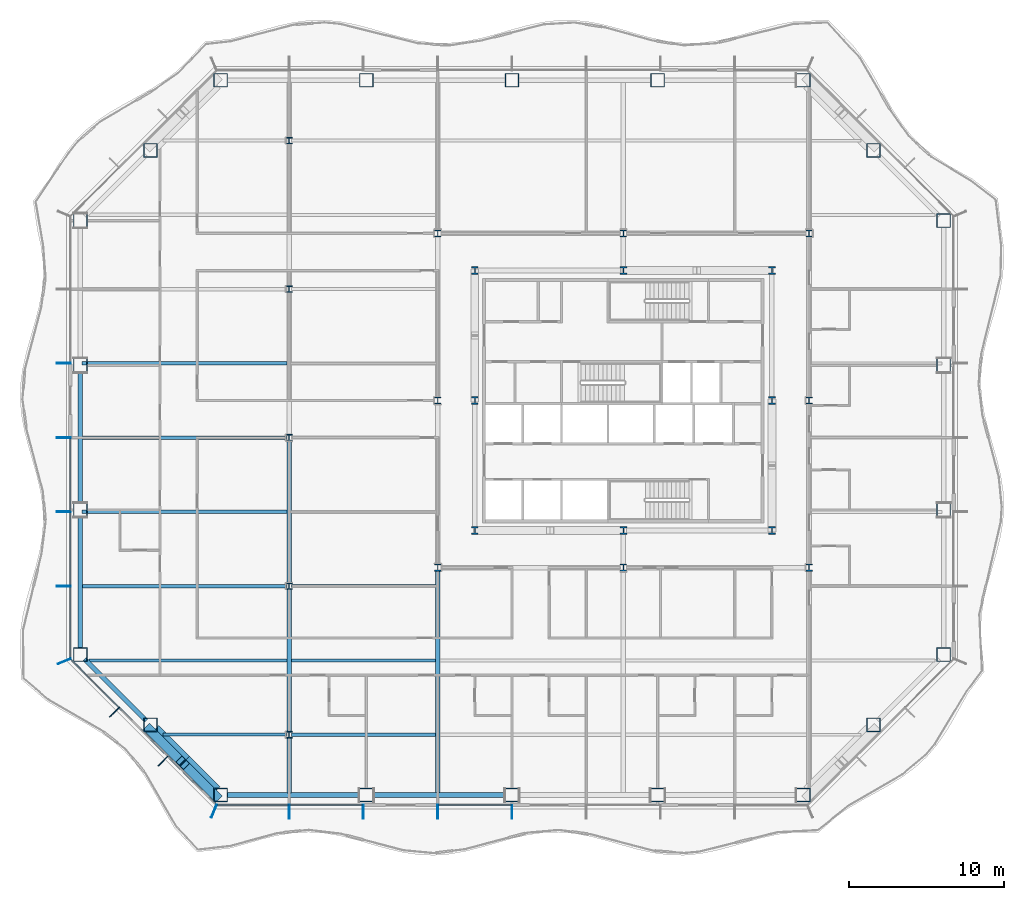
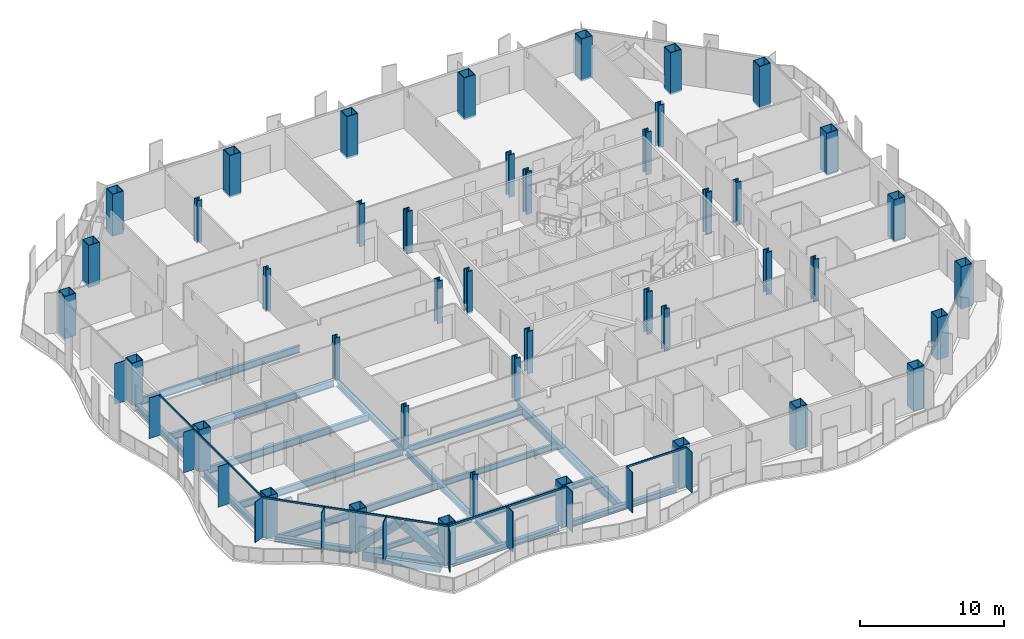
# One storey, part 1 of 20: 43 columns, 23 members, 20 beams, 3 elements without a shape of their own.
"""IFC4 building model written with IfcOpenShell, lengths in metres."""

from ifc_helpers import new_model, si_unit, direction, frame, origin, origin_2d, place, context, subcontext, project, spatial, rectangle, hollow_rectangle, i_section, extrude, clip, halfspace, material, material_profile, profile_set, type_object, element, aggregate, save


model = new_model("IFC4")

# Units and contexts
model_context = context("Model", 3, precision=1e-05, world=origin(), true_north=direction((0.0, 1.0)))
body_context = subcontext(model_context, "Body", "Model", "MODEL_VIEW")
ifc_project = project(units=[si_unit("LENGTHUNIT", "METRE"), si_unit("AREAUNIT", "SQUARE_METRE"), si_unit("VOLUMEUNIT", "CUBIC_METRE"), si_unit("PLANEANGLEUNIT", "RADIAN"), si_unit("MASSUNIT", "GRAM", prefix="KILO")], contexts=[model_context])

# Site, building, storey
site_placement = place(None, origin())
site = spatial("IfcSite", under=ifc_project, at=site_placement, CompositionType="ELEMENT")
building_placement = place(site_placement, origin())
building = spatial("IfcBuilding", under=site, at=building_placement, Name="Cairn Pilgrim Tower", CompositionType="ELEMENT")
storey_placement = place(building_placement, frame((0.0, 0.0, 83.39990234375)))
storey = spatial("IfcBuildingStorey", under=building, at=storey_placement, Name="L19", CompositionType="ELEMENT", Elevation=83.39990234375)

# Columns
ifc_material_1 = material(Name="Structural steel S460M", Category="steel")
ifc_material_profile_1 = material_profile(ifc_material_1, hollow_rectangle(XDim=0.89990234375, YDim=0.89990234375, WallThickness=0.050048828125, at=origin_2d()), Name="BOX 900x900x50")
ifc_profile_set_1 = profile_set([ifc_material_profile_1], Name="Structural steel S460M")
column_type_1 = type_object("IfcColumnType", Name="BOX 900x900x50", PredefinedType="COLUMN", material=ifc_profile_set_1)
for number, where, z_axis, x_axis, name in (
    (1, (-18.8271484375, -23.10009765625, -0.14990234375), (0.0, 0.0, 1.0), (1.0, 0.0, 0.0), "PC1-S1"),
    (2, (-9.41357421875, -23.10009765625, -0.14990234375), (0.0, 0.0, 1.0), (1.0, 0.0, 0.0), "PC1-S2"),
    (3, (0.0, -23.10009765625, -0.14990234375), (0.0, 0.0, 1.0), (1.0, 0.0, 0.0), "PC1-S3"),
    (4, (9.41357421875, -23.10009765625, -0.14990234375), (0.0, 0.0, 1.0), (1.0, 0.0, 0.0), "PC1-S4"),
    (5, (18.8271484375, -23.10009765625, -0.14990234375), (0.0, 0.0, 1.0), (1.0, 0.0, 0.0), "PC1-SE1"),
    (6, (23.363525390625, -18.563720703125, -0.14990234375), (0.0, 0.0, 1.0), (1.0, 0.0, 0.0), "PC1-SE2"),
    (7, (27.89990234375, -14.027099609375, -0.14990234375), (0.0, 0.0, 1.0), (1.0, 0.0, 0.0), "PC1-E1"),
    (8, (27.89990234375, -4.67578125, -0.14990234375), (0.0, 0.0, 1.0), (1.0, 0.0, 0.0), "PC1-E2"),
    (9, (27.89990234375, 4.67578125, -0.14990234375), (0.0, 0.0, 1.0), (1.0, 0.0, 0.0), "PC1-E3"),
    (10, (27.89990234375, 14.027099609375, -0.14990234375), (0.0, 0.0, 1.0), (1.0, 0.0, 0.0), "PC1-NE1"),
    (11, (23.363525390625, 18.563720703125, -0.14990234375), (0.0, 0.0, 1.0), (1.0, 0.0, 0.0), "PC1-NE2"),
    (12, (18.8271484375, 23.10009765625, -0.14990234375), (0.0, 0.0, 1.0), (1.0, 0.0, 0.0), "PC1-N1"),
    (13, (9.41357421875, 23.10009765625, -0.14990234375), (0.0, 0.0, 1.0), (1.0, 0.0, 0.0), "PC1-N2"),
    (14, (0.0, 23.10009765625, -0.14990234375), (0.0, 0.0, 1.0), (1.0, 0.0, 0.0), "PC1-N3"),
    (15, (-9.41357421875, 23.10009765625, -0.14990234375), (0.0, 0.0, 1.0), (1.0, 0.0, 0.0), "PC1-N4"),
    (16, (-18.8271484375, 23.10009765625, -0.14990234375), (0.0, 0.0, 1.0), (1.0, 0.0, 0.0), "PC1-NW1"),
    (17, (-23.363525390625, 18.563720703125, -0.14990234375), (0.0, 0.0, 1.0), (1.0, 0.0, 0.0), "PC1-NW2"),
    (18, (-27.89990234375, 14.027099609375, -0.14990234375), (0.0, 0.0, 1.0), (1.0, 0.0, 0.0), "PC1-W1"),
    (19, (-27.89990234375, 4.67578125, -0.14990234375), (0.0, 0.0, 1.0), (1.0, 0.0, 0.0), "PC1-W2"),
    (20, (-27.89990234375, -4.67578125, -0.14990234375), (0.0, 0.0, 1.0), (1.0, 0.0, 0.0), "PC1-W3"),
    (21, (-27.89990234375, -14.027099609375, -0.14990234375), (0.0, 0.0, 1.0), (1.0, 0.0, 0.0), "PC1-SW1"),
    (22, (-23.363525390625, -18.563720703125, -0.14990234375), (0.0, 0.0, 1.0), (1.0, 0.0, 0.0), "PC1-SW2"),
):
    element("IfcColumn", number, at=place(storey_placement, frame(where, z_axis=z_axis, x_axis=x_axis)), inside=storey, type_object=column_type_1, Name=name, PredefinedType="COLUMN", context=body_context, shape_type="Clipping", body=[
        clip(extrude(hollow_rectangle(XDim=0.89990234375, YDim=0.89990234375, WallThickness=0.050048828125, at=origin_2d()), origin(), (0.0, 0.0, 1.0), 3.60009765625), halfspace(frame((0.0, 0.0, 3.576171875), z_axis=(0.0, 0.0, 1.0), x_axis=(1.0, 0.0, 0.0)), False)),
    ])
ifc_material_profile_2 = material_profile(ifc_material_1, i_section(OverallWidth=0.408935546875, OverallDepth=0.425048828125, WebThickness=0.03271484375, FlangeThickness=0.052490234375, FilletRadius=0.014892578125, at=origin_2d()), Name="HD 400x421")
ifc_profile_set_2 = profile_set([ifc_material_profile_2], Name="Structural steel S460M")
column_type_2 = type_object("IfcColumnType", Name="HD 400x421", PredefinedType="COLUMN", material=ifc_profile_set_2)
for number, where, z_axis, x_axis, name in (
    (23, (-14.39990234375, -19.199951171875, -0.14990234375), (0.0, 0.0, 1.0), (1.0, 0.0, 0.0), "WC-WW-4"),
    (24, (-14.39990234375, -9.60009765625, -0.14990234375), (0.0, 0.0, 1.0), (1.0, 0.0, 0.0), "WC-WW-2"),
    (25, (-14.39990234375, 0.0, -0.14990234375), (0.0, 0.0, 1.0), (1.0, 0.0, 0.0), "WC-WW+0"),
    (26, (-14.39990234375, 9.60009765625, -0.14990234375), (0.0, 0.0, 1.0), (1.0, 0.0, 0.0), "WC-WW+2"),
    (27, (-14.39990234375, 19.199951171875, -0.14990234375), (0.0, 0.0, 1.0), (1.0, 0.0, 0.0), "WC-WW+4"),
):
    element("IfcColumn", number, at=place(storey_placement, frame(where, z_axis=z_axis, x_axis=x_axis)), inside=storey, type_object=column_type_2, Name=name, PredefinedType="COLUMN", context=body_context, shape_type="SweptSolid", body=[
        extrude(i_section(OverallWidth=0.408935546875, OverallDepth=0.425048828125, WebThickness=0.03271484375, FlangeThickness=0.052490234375, FilletRadius=0.014892578125, at=origin_2d()), origin(), (0.0, 0.0, 1.0), 3.60009765625),
    ])
ifc_material_profile_3 = material_profile(ifc_material_1, i_section(OverallWidth=0.424072265625, OverallDepth=0.47412109375, WebThickness=0.047607421875, FlangeThickness=0.0771484375, FilletRadius=0.014892578125, at=origin_2d()), Name="HD 400x634")
ifc_profile_set_3 = profile_set([ifc_material_profile_3], Name="Structural steel S460M")
column_type_3 = type_object("IfcColumnType", Name="HD 400x634", PredefinedType="COLUMN", material=ifc_profile_set_3)
for number, where, z_axis, x_axis, name in (
    (28, (-4.800048828125, -8.39990234375, -0.14990234375), (0.0, 0.0, 1.0), (1.0, 0.0, 0.0), "IC-1"),
    (29, (7.199951171875, -8.39990234375, -0.14990234375), (0.0, 0.0, 1.0), (1.0, 0.0, 0.0), "IC-2"),
    (30, (19.199951171875, -8.39990234375, -0.14990234375), (0.0, 0.0, 1.0), (1.0, 0.0, 0.0), "IC-3"),
    (31, (-4.800048828125, 2.39990234375, -0.14990234375), (0.0, 0.0, 1.0), (1.0, 0.0, 0.0), "IC-4"),
    (32, (19.199951171875, 2.39990234375, -0.14990234375), (0.0, 0.0, 1.0), (1.0, 0.0, 0.0), "IC-5"),
    (33, (-4.800048828125, 13.199951171875, -0.14990234375), (0.0, 0.0, 1.0), (1.0, 0.0, 0.0), "IC-6"),
    (34, (7.199951171875, 13.199951171875, -0.14990234375), (0.0, 0.0, 1.0), (1.0, 0.0, 0.0), "IC-7"),
    (35, (19.199951171875, 13.199951171875, -0.14990234375), (0.0, 0.0, 1.0), (1.0, 0.0, 0.0), "IC-8"),
):
    element("IfcColumn", number, at=place(storey_placement, frame(where, z_axis=z_axis, x_axis=x_axis)), inside=storey, type_object=column_type_3, Name=name, PredefinedType="COLUMN", context=body_context, shape_type="SweptSolid", body=[
        extrude(i_section(OverallWidth=0.424072265625, OverallDepth=0.47412109375, WebThickness=0.047607421875, FlangeThickness=0.0771484375, FilletRadius=0.014892578125, at=origin_2d()), origin(), (0.0, 0.0, 1.0), 3.60009765625),
    ])
ifc_material_profile_4 = material_profile(ifc_material_1, i_section(OverallWidth=0.43701171875, OverallDepth=0.513916015625, WebThickness=0.060546875, FlangeThickness=0.096923828125, FilletRadius=0.014892578125, at=origin_2d()), Name="HD 400x818")
ifc_profile_set_4 = profile_set([ifc_material_profile_4], Name="Structural steel S460M")
column_type_4 = type_object("IfcColumnType", Name="HD 400x818", PredefinedType="COLUMN", material=ifc_profile_set_4)
for number, where, z_axis, x_axis, name in (
    (36, (-2.39990234375, -6.0, -0.14990234375), (0.0, 0.0, 1.0), (1.0, 0.0, 0.0), "KC-1"),
    (37, (7.199951171875, -6.0, -0.14990234375), (0.0, 0.0, 1.0), (1.0, 0.0, 0.0), "KC-2"),
    (38, (16.800048828125, -6.0, -0.14990234375), (0.0, 0.0, 1.0), (1.0, 0.0, 0.0), "KC-3"),
    (39, (-2.39990234375, 2.39990234375, -0.14990234375), (0.0, 0.0, 1.0), (1.0, 0.0, 0.0), "KC-4"),
    (40, (16.800048828125, 2.39990234375, -0.14990234375), (0.0, 0.0, 1.0), (1.0, 0.0, 0.0), "KC-5"),
    (41, (-2.39990234375, 10.800048828125, -0.14990234375), (0.0, 0.0, 1.0), (1.0, 0.0, 0.0), "KC-6"),
    (42, (7.199951171875, 10.800048828125, -0.14990234375), (0.0, 0.0, 1.0), (1.0, 0.0, 0.0), "KC-7"),
    (43, (16.800048828125, 10.800048828125, -0.14990234375), (0.0, 0.0, 1.0), (1.0, 0.0, 0.0), "KC-8"),
):
    element("IfcColumn", number, at=place(storey_placement, frame(where, z_axis=z_axis, x_axis=x_axis)), inside=storey, type_object=column_type_4, Name=name, PredefinedType="COLUMN", context=body_context, shape_type="SweptSolid", body=[
        extrude(i_section(OverallWidth=0.43701171875, OverallDepth=0.513916015625, WebThickness=0.060546875, FlangeThickness=0.096923828125, FilletRadius=0.014892578125, at=origin_2d()), origin(), (0.0, 0.0, 1.0), 3.60009765625),
    ])

# Members
ifc_material_profile_5 = material_profile(ifc_material_1, hollow_rectangle(XDim=0.60009765625, YDim=0.60009765625, WallThickness=0.034912109375, at=origin_2d()), Name="BOX 600x600x35")
ifc_profile_set_5 = profile_set([ifc_material_profile_5], Name="Structural steel S460M")
member_type_1 = type_object("IfcMemberType", Name="BOX 600x600x35 BRACE", PredefinedType="BRACE", material=ifc_profile_set_5)
for number, where, z_axis, x_axis, name in (
    (44, (-23.4873046875, -18.814697265625, 0.150146484375), (0.528960912345, -0.52889942671, 0.663675937214), (0.70706568108, 0.707147878904, 0.0), "XB-SW2-S1-1"),
    (45, (-19.078125, -23.2236328125, 0.150146484375), (-0.528943710525, 0.528943710525, 0.663654354459), (-0.707106781187, -0.707106781187, 0.0), "XB-SW2-S1-2"),
):
    element("IfcMember", number, at=place(storey_placement, frame(where, z_axis=z_axis, x_axis=x_axis)), inside=storey, type_object=member_type_1, Name=name, PredefinedType="BRACE", context=body_context, shape_type="SweptSolid", body=[
        extrude(hollow_rectangle(XDim=0.60009765625, YDim=0.60009765625, WallThickness=0.034912109375, at=origin_2d()), origin(), (0.0, 0.0, 1.0), 3.970703125),
    ])

# Beams
ifc_material_2 = material(Name="Structural steel S355J2", Category="steel")
ifc_material_profile_6 = material_profile(ifc_material_2, hollow_rectangle(XDim=0.699951171875, YDim=0.800048828125, WallThickness=0.0400390625, at=origin_2d()), Name="BOX 700x800x40")
ifc_profile_set_6 = profile_set([ifc_material_profile_6], Name="Structural steel S355J2")
beam_type_1 = type_object("IfcBeamType", Name="BOX 700x800x40 RING GIRDER", PredefinedType="SPANDREL", material=ifc_profile_set_6)
beam_1_placement = place(storey_placement, frame((-23.0771484375, -18.85009765625, -0.5498046875), z_axis=(0.707106781187, -0.707106781187, 0.0), x_axis=(0.707106781187, 0.707106781187, 0.0)))
element("IfcBeam", 46, at=beam_1_placement, inside=storey, type_object=beam_type_1, Name="RG1-SW2-S1-1", PredefinedType="SPANDREL", context=body_context, shape_type="SweptSolid", body=[
    extrude(hollow_rectangle(XDim=0.699951171875, YDim=0.800048828125, WallThickness=0.0400390625, at=origin_2d()), origin(), (0.0, 0.0, 1.0), 2.802490234375),
])
beam_2_placement = place(storey_placement, frame((-21.095458984375, -20.831787109375, -0.5498046875), z_axis=(0.707106781187, -0.707106781187, 0.0), x_axis=(0.707106781187, 0.707106781187, 0.0)))
element("IfcBeam", 47, at=beam_2_placement, inside=storey, type_object=beam_type_1, Name="RG1-SW2-S1-2", PredefinedType="SPANDREL", context=body_context, shape_type="SweptSolid", body=[
    extrude(hollow_rectangle(XDim=0.699951171875, YDim=0.800048828125, WallThickness=0.0400390625, at=origin_2d()), origin(), (0.0, 0.0, 1.0), 2.802978515625),
])

# Curtain wall, members
ifc_material_3 = material(Name="Aluminium alloy 6063-T6 bronze anodised with Bronze tinted laminated low-E glass 8+16+8.8", Category="aluminium")
curtain_wall_type_1 = type_object("IfcCurtainWallType", Name="TOWER STICK CURTAIN WALL NS", PredefinedType="NOTDEFINED", material=ifc_material_3)
curtain_wall_1_placement = place(storey_placement, origin())
curtain_wall_1 = element("IfcCurtainWall", 48, at=curtain_wall_1_placement, inside=storey, type_object=curtain_wall_type_1, Name="Tower Stick Curtain Wall Ns S", PredefinedType="NOTDEFINED")
ifc_material_4 = material(Name="Aluminium alloy 6063-T6 bronze anodised", Category="aluminium")
ifc_material_profile_7 = material_profile(ifc_material_4, rectangle(XDim=0.89990234375, YDim=0.06005859375, at=origin_2d()), Name="FIN MULLION 60x900 BRONZE")
ifc_profile_set_7 = profile_set([ifc_material_profile_7], Name="Aluminium alloy 6063-T6 bronze anodised")
member_type_2 = type_object("IfcMemberType", Name="FIN MULLION 60x900 BRONZE", PredefinedType="MULLION", material=ifc_profile_set_7)
member_1_placement = place(storey_placement, frame((-19.257080078125, -24.137939453125, 0.0), z_axis=(0.0, 0.0, 1.0), x_axis=(-0.382683432365, -0.923879532511, 0.0)))
member_1 = element("IfcMember", 49, at=member_1_placement, type_object=member_type_2, Name="Fin mullion S1", PredefinedType="MULLION", context=body_context, shape_type="SweptSolid", body=[
    extrude(rectangle(XDim=0.89990234375, YDim=0.06005859375, at=origin_2d()), origin(), (0.0, 0.0, 1.0), 3.4501953125),
])
member_2_placement = place(storey_placement, frame((-14.39990234375, -24.169921875, 0.0), z_axis=(0.0, 0.0, 1.0), x_axis=(0.0, -1.0, 0.0)))
member_2 = element("IfcMember", 50, at=member_2_placement, type_object=member_type_2, Name="Fin mullion S2", PredefinedType="MULLION", context=body_context, shape_type="SweptSolid", body=[
    extrude(rectangle(XDim=0.89990234375, YDim=0.06005859375, at=origin_2d()), origin(), (0.0, 0.0, 1.0), 3.4501953125),
])
member_3_placement = place(storey_placement, frame((-9.60009765625, -24.169921875, 0.0), z_axis=(0.0, 0.0, 1.0), x_axis=(0.0, -1.0, 0.0)))
member_3 = element("IfcMember", 51, at=member_3_placement, type_object=member_type_2, Name="Fin mullion S3", PredefinedType="MULLION", context=body_context, shape_type="SweptSolid", body=[
    extrude(rectangle(XDim=0.89990234375, YDim=0.06005859375, at=origin_2d()), origin(), (0.0, 0.0, 1.0), 3.4501953125),
])
member_4_placement = place(storey_placement, frame((-4.800048828125, -24.169921875, 0.0), z_axis=(0.0, 0.0, 1.0), x_axis=(0.0, -1.0, 0.0)))
member_4 = element("IfcMember", 52, at=member_4_placement, type_object=member_type_2, Name="Fin mullion S4", PredefinedType="MULLION", context=body_context, shape_type="SweptSolid", body=[
    extrude(rectangle(XDim=0.89990234375, YDim=0.06005859375, at=origin_2d()), origin(), (0.0, 0.0, 1.0), 3.4501953125),
])
member_5_placement = place(storey_placement, frame((0.0, -24.169921875, 0.0), z_axis=(0.0, 0.0, 1.0), x_axis=(0.0, -1.0, 0.0)))
member_5 = element("IfcMember", 53, at=member_5_placement, type_object=member_type_2, Name="Fin mullion S5", PredefinedType="MULLION", context=body_context, shape_type="SweptSolid", body=[
    extrude(rectangle(XDim=0.89990234375, YDim=0.06005859375, at=origin_2d()), origin(), (0.0, 0.0, 1.0), 3.4501953125),
])

curtain_wall_type_2 = type_object("IfcCurtainWallType", Name="TOWER STICK CURTAIN WALL EW", PredefinedType="NOTDEFINED", material=ifc_material_3)
curtain_wall_2_placement = place(storey_placement, origin())
curtain_wall_2 = element("IfcCurtainWall", 54, at=curtain_wall_2_placement, inside=storey, type_object=curtain_wall_type_2, Name="Tower Stick Curtain Wall Ew W", PredefinedType="NOTDEFINED")
member_6_placement = place(storey_placement, frame((-28.969970703125, 4.800048828125, 0.0), z_axis=(0.0, 0.0, 1.0), x_axis=(-1.0, 0.0, 0.0)))
member_6 = element("IfcMember", 55, at=member_6_placement, type_object=member_type_2, Name="Fin mullion W3", PredefinedType="MULLION", context=body_context, shape_type="SweptSolid", body=[
    extrude(rectangle(XDim=0.89990234375, YDim=0.06005859375, at=origin_2d()), origin(), (0.0, 0.0, 1.0), 3.4501953125),
])
member_7_placement = place(storey_placement, frame((-28.969970703125, 0.0, 0.0), z_axis=(0.0, 0.0, 1.0), x_axis=(-1.0, 0.0, 0.0)))
member_7 = element("IfcMember", 56, at=member_7_placement, type_object=member_type_2, Name="Fin mullion W4", PredefinedType="MULLION", context=body_context, shape_type="SweptSolid", body=[
    extrude(rectangle(XDim=0.89990234375, YDim=0.06005859375, at=origin_2d()), origin(), (0.0, 0.0, 1.0), 3.4501953125),
])
member_8_placement = place(storey_placement, frame((-28.969970703125, -4.800048828125, 0.0), z_axis=(0.0, 0.0, 1.0), x_axis=(-1.0, 0.0, 0.0)))
member_8 = element("IfcMember", 57, at=member_8_placement, type_object=member_type_2, Name="Fin mullion W5", PredefinedType="MULLION", context=body_context, shape_type="SweptSolid", body=[
    extrude(rectangle(XDim=0.89990234375, YDim=0.06005859375, at=origin_2d()), origin(), (0.0, 0.0, 1.0), 3.4501953125),
])
member_9_placement = place(storey_placement, frame((-28.969970703125, -9.60009765625, 0.0), z_axis=(0.0, 0.0, 1.0), x_axis=(-1.0, 0.0, 0.0)))
member_9 = element("IfcMember", 58, at=member_9_placement, type_object=member_type_2, Name="Fin mullion W6", PredefinedType="MULLION", context=body_context, shape_type="SweptSolid", body=[
    extrude(rectangle(XDim=0.89990234375, YDim=0.06005859375, at=origin_2d()), origin(), (0.0, 0.0, 1.0), 3.4501953125),
])

curtain_wall_type_3 = type_object("IfcCurtainWallType", Name="CHAMFER CORNER CURTAIN WALL", PredefinedType="NOTDEFINED", material=ifc_material_3)
curtain_wall_3_placement = place(storey_placement, origin())
curtain_wall_3 = element("IfcCurtainWall", 59, at=curtain_wall_3_placement, inside=storey, type_object=curtain_wall_type_3, Name="Chamfer Corner Curtain Wall SW", PredefinedType="NOTDEFINED")
member_10_placement = place(storey_placement, frame((-28.93798828125, -14.457275390625, 0.0), z_axis=(0.0, 0.0, 1.0), x_axis=(-0.923879532511, -0.382683432365, 0.0)))
member_10 = element("IfcMember", 60, at=member_10_placement, type_object=member_type_2, Name="Fin mullion SW1", PredefinedType="MULLION", context=body_context, shape_type="SweptSolid", body=[
    extrude(rectangle(XDim=0.89990234375, YDim=0.06005859375, at=origin_2d()), origin(), (0.0, 0.0, 1.0), 3.4501953125),
])
member_11_placement = place(storey_placement, frame((-25.69580078125, -17.74462890625, 0.0), z_axis=(0.0, 0.0, 1.0), x_axis=(-0.707106781187, -0.707106781187, 0.0)))
member_11 = element("IfcMember", 61, at=member_11_placement, type_object=member_type_2, Name="Fin mullion SW2", PredefinedType="MULLION", context=body_context, shape_type="SweptSolid", body=[
    extrude(rectangle(XDim=0.89990234375, YDim=0.06005859375, at=origin_2d()), origin(), (0.0, 0.0, 1.0), 3.4501953125),
])
member_12_placement = place(storey_placement, frame((-22.544677734375, -20.895751953125, 0.0), z_axis=(0.0, 0.0, 1.0), x_axis=(-0.707106781187, -0.707106781187, 0.0)))
member_12 = element("IfcMember", 62, at=member_12_placement, type_object=member_type_2, Name="Fin mullion SW3", PredefinedType="MULLION", context=body_context, shape_type="SweptSolid", body=[
    extrude(rectangle(XDim=0.89990234375, YDim=0.06005859375, at=origin_2d()), origin(), (0.0, 0.0, 1.0), 3.4501953125),
])

# Beams
ifc_material_profile_8 = material_profile(ifc_material_2, i_section(OverallWidth=0.300048828125, OverallDepth=0.39990234375, WebThickness=0.013427734375, FlangeThickness=0.02392578125, FilletRadius=0.027099609375, at=origin_2d()), Name="HEB 400")
ifc_profile_set_8 = profile_set([ifc_material_profile_8], Name="Structural steel S355J2")
beam_type_2 = type_object("IfcBeamType", Name="HEB 400 GIRDER", PredefinedType="BEAM", material=ifc_profile_set_8)
beam_3_placement = place(storey_placement, frame((-14.39990234375, -22.97998046875, -0.349853515625), z_axis=(0.0, 1.0, 0.0), x_axis=(-1.0, 0.0, 0.0)))
element("IfcBeam", 63, at=beam_3_placement, inside=storey, type_object=beam_type_2, Name="PG1-1", PredefinedType="BEAM", context=body_context, shape_type="SweptSolid", body=[
    extrude(i_section(OverallWidth=0.300048828125, OverallDepth=0.39990234375, WebThickness=0.013427734375, FlangeThickness=0.02392578125, FilletRadius=0.027099609375, at=origin_2d()), origin(), (0.0, 0.0, 1.0), 3.575439453125),
])
ifc_material_profile_9 = material_profile(ifc_material_2, i_section(OverallWidth=0.300048828125, OverallDepth=0.5, WebThickness=0.014404296875, FlangeThickness=0.028076171875, FilletRadius=0.027099609375, at=origin_2d()), Name="HEB 500")
ifc_profile_set_9 = profile_set([ifc_material_profile_9], Name="Structural steel S355J2")
beam_type_3 = type_object("IfcBeamType", Name="HEB 500 GIRDER", PredefinedType="BEAM", material=ifc_profile_set_9)
beam_4_placement = place(storey_placement, frame((-14.39990234375, -18.99560546875, -0.39990234375), z_axis=(0.0, 1.0, 0.0), x_axis=(-1.0, 0.0, 0.0)))
element("IfcBeam", 64, at=beam_4_placement, inside=storey, type_object=beam_type_3, Name="PG1-2", PredefinedType="BEAM", context=body_context, shape_type="SweptSolid", body=[
    extrude(i_section(OverallWidth=0.300048828125, OverallDepth=0.5, WebThickness=0.014404296875, FlangeThickness=0.028076171875, FilletRadius=0.027099609375, at=origin_2d()), origin(), (0.0, 0.0, 1.0), 9.191162109375),
])
beam_5_placement = place(storey_placement, frame((-14.39990234375, -9.3955078125, -0.39990234375), z_axis=(0.0, 1.0, 0.0), x_axis=(-1.0, 0.0, 0.0)))
element("IfcBeam", 65, at=beam_5_placement, inside=storey, type_object=beam_type_3, Name="PG1-3", PredefinedType="BEAM", context=body_context, shape_type="SweptSolid", body=[
    extrude(i_section(OverallWidth=0.300048828125, OverallDepth=0.5, WebThickness=0.014404296875, FlangeThickness=0.028076171875, FilletRadius=0.027099609375, at=origin_2d()), origin(), (0.0, 0.0, 1.0), 9.19091796875),
])
ifc_material_profile_10 = material_profile(ifc_material_2, i_section(OverallWidth=0.300048828125, OverallDepth=0.5, WebThickness=0.014404296875, FlangeThickness=0.028076171875, FilletRadius=0.027099609375, at=origin_2d()), Name="HEB 500")
ifc_profile_set_10 = profile_set([ifc_material_profile_10], Name="Structural steel S355J2")
beam_type_4 = type_object("IfcBeamType", Name="HEB 500 RING GIRDER", PredefinedType="SPANDREL", material=ifc_profile_set_10)
for number, where, z_axis, x_axis, name in (
    (66, (-18.422119140625, -23.10009765625, -0.39990234375), (1.0, 0.0, 0.0), (0.0, 1.0, 0.0), "RG1-S1-S2"),
    (67, (-9.008544921875, -23.10009765625, -0.39990234375), (1.0, 0.0, 0.0), (0.0, 1.0, 0.0), "RG1-S2-S3"),
):
    element("IfcBeam", number, at=place(storey_placement, frame(where, z_axis=z_axis, x_axis=x_axis)), inside=storey, type_object=beam_type_4, Name=name, PredefinedType="SPANDREL", context=body_context, shape_type="SweptSolid", body=[
        extrude(i_section(OverallWidth=0.300048828125, OverallDepth=0.5, WebThickness=0.014404296875, FlangeThickness=0.028076171875, FilletRadius=0.027099609375, at=origin_2d()), origin(), (0.0, 0.0, 1.0), 8.603515625),
    ])
for number, where, z_axis, x_axis, name in (
    (68, (-27.89990234375, 4.270751953125, -0.39990234375), (0.0, -1.0, 0.0), (1.0, 0.0, 0.0), "RG1-W2-W3"),
    (69, (-27.89990234375, -5.080810546875, -0.39990234375), (0.0, -1.0, 0.0), (1.0, 0.0, 0.0), "RG1-W3-SW1"),
):
    element("IfcBeam", number, at=place(storey_placement, frame(where, z_axis=z_axis, x_axis=x_axis)), inside=storey, type_object=beam_type_4, Name=name, PredefinedType="SPANDREL", context=body_context, shape_type="SweptSolid", body=[
        extrude(i_section(OverallWidth=0.300048828125, OverallDepth=0.5, WebThickness=0.014404296875, FlangeThickness=0.028076171875, FilletRadius=0.027099609375, at=origin_2d()), origin(), (0.0, 0.0, 1.0), 8.54150390625),
    ])
beam_6_placement = place(storey_placement, frame((-27.613525390625, -14.313720703125, -0.39990234375), z_axis=(0.707128558756, -0.707085002947, 0.0), x_axis=(0.707085002947, 0.707128558756, 0.0)))
element("IfcBeam", 70, at=beam_6_placement, inside=storey, type_object=beam_type_4, Name="RG1-SW1-SW2", PredefinedType="SPANDREL", context=body_context, shape_type="SweptSolid", body=[
    extrude(i_section(OverallWidth=0.300048828125, OverallDepth=0.5, WebThickness=0.014404296875, FlangeThickness=0.028076171875, FilletRadius=0.027099609375, at=origin_2d()), origin(), (0.0, 0.0, 1.0), 5.605224609375),
])
ifc_material_profile_11 = material_profile(ifc_material_2, i_section(OverallWidth=0.300048828125, OverallDepth=0.699951171875, WebThickness=0.01708984375, FlangeThickness=0.031982421875, FilletRadius=0.027099609375, at=origin_2d()), Name="HEB 700")
ifc_profile_set_11 = profile_set([ifc_material_profile_11], Name="Structural steel S355J2")
beam_type_5 = type_object("IfcBeamType", Name="HEB 700 GIRDER", PredefinedType="BEAM", material=ifc_profile_set_11)
beam_7_placement = place(storey_placement, frame((-4.800048828125, -22.97998046875, -0.5), z_axis=(0.0, 1.0, 0.0), x_axis=(-1.0, 0.0, 0.0)))
element("IfcBeam", 71, at=beam_7_placement, inside=storey, type_object=beam_type_5, Name="PG2-1", PredefinedType="BEAM", context=body_context, shape_type="SweptSolid", body=[
    extrude(i_section(OverallWidth=0.300048828125, OverallDepth=0.699951171875, WebThickness=0.01708984375, FlangeThickness=0.031982421875, FilletRadius=0.027099609375, at=origin_2d()), origin(), (0.0, 0.0, 1.0), 14.367919921875),
])
ifc_material_profile_12 = material_profile(ifc_material_2, i_section(OverallWidth=0.18994140625, OverallDepth=0.449951171875, WebThickness=0.009521484375, FlangeThickness=0.0146484375, FilletRadius=0.02099609375, at=origin_2d()), Name="IPE 450")
ifc_profile_set_12 = profile_set([ifc_material_profile_12], Name="Structural steel S355J2")
beam_type_6 = type_object("IfcBeamType", Name="IPE 450 SECONDARY BEAM", PredefinedType="JOIST", material=ifc_profile_set_12)
beam_8_placement = place(storey_placement, frame((-22.545166015625, -19.199951171875, -0.375), z_axis=(1.0, 0.0, 0.0), x_axis=(0.0, 1.0, 0.0)))
element("IfcBeam", 72, at=beam_8_placement, inside=storey, type_object=beam_type_6, Name="SB1-1", PredefinedType="JOIST", context=body_context, shape_type="SweptSolid", body=[
    extrude(i_section(OverallWidth=0.18994140625, OverallDepth=0.449951171875, WebThickness=0.009521484375, FlangeThickness=0.0146484375, FilletRadius=0.02099609375, at=origin_2d()), origin(), (0.0, 0.0, 1.0), 7.9951171875),
])
ifc_material_profile_13 = material_profile(ifc_material_2, i_section(OverallWidth=0.199951171875, OverallDepth=0.5, WebThickness=0.01025390625, FlangeThickness=0.01611328125, FilletRadius=0.02099609375, at=origin_2d()), Name="IPE 500")
ifc_profile_set_13 = profile_set([ifc_material_profile_13], Name="Structural steel S355J2")
beam_type_7 = type_object("IfcBeamType", Name="IPE 500 SECONDARY BEAM", PredefinedType="JOIST", material=ifc_profile_set_13)
for number, where, z_axis, x_axis, name in (
    (73, (-14.25, -19.199951171875, -0.39990234375), (1.0, 0.0, 0.0), (0.0, 1.0, 0.0), "SB1-2"),
    (74, (-14.25, -14.39990234375, -0.39990234375), (1.0, 0.0, 0.0), (0.0, 1.0, 0.0), "SB2-2"),
    (75, (-14.25, -9.60009765625, -0.39990234375), (1.0, 0.0, 0.0), (0.0, 1.0, 0.0), "SB3-2"),
):
    element("IfcBeam", number, at=place(storey_placement, frame(where, z_axis=z_axis, x_axis=x_axis)), inside=storey, type_object=beam_type_7, Name=name, PredefinedType="JOIST", context=body_context, shape_type="SweptSolid", body=[
        extrude(i_section(OverallWidth=0.199951171875, OverallDepth=0.5, WebThickness=0.01025390625, FlangeThickness=0.01611328125, FilletRadius=0.02099609375, at=origin_2d()), origin(), (0.0, 0.0, 1.0), 9.300048828125),
    ])
ifc_material_profile_14 = material_profile(ifc_material_2, i_section(OverallWidth=0.219970703125, OverallDepth=0.60009765625, WebThickness=0.011962890625, FlangeThickness=0.01904296875, FilletRadius=0.02392578125, at=origin_2d()), Name="IPE 600")
ifc_profile_set_14 = profile_set([ifc_material_profile_14], Name="Structural steel S355J2")
beam_type_8 = type_object("IfcBeamType", Name="IPE 600 SECONDARY BEAM", PredefinedType="JOIST", material=ifc_profile_set_14)
beam_9_placement = place(storey_placement, frame((-27.34521484375, -14.39990234375, -0.449951171875), z_axis=(1.0, 0.0, 0.0), x_axis=(0.0, 1.0, 0.0)))
element("IfcBeam", 76, at=beam_9_placement, inside=storey, type_object=beam_type_8, Name="SB2-1", PredefinedType="JOIST", context=body_context, shape_type="SweptSolid", body=[
    extrude(i_section(OverallWidth=0.219970703125, OverallDepth=0.60009765625, WebThickness=0.011962890625, FlangeThickness=0.01904296875, FilletRadius=0.02392578125, at=origin_2d()), origin(), (0.0, 0.0, 1.0), 12.795166015625),
])
for number, where, z_axis, x_axis, name in (
    (77, (-27.780029296875, -9.60009765625, -0.449951171875), (1.0, 0.0, 0.0), (0.0, 1.0, 0.0), "SB3-1"),
    (78, (-27.780029296875, -4.800048828125, -0.449951171875), (1.0, 0.0, 0.0), (0.0, 1.0, 0.0), "SB4-1"),
    (79, (-27.780029296875, 0.0, -0.449951171875), (1.0, 0.0, 0.0), (0.0, 1.0, 0.0), "SB5-1"),
    (80, (-27.780029296875, 4.800048828125, -0.449951171875), (1.0, 0.0, 0.0), (0.0, 1.0, 0.0), "SB6-1"),
):
    element("IfcBeam", number, at=place(storey_placement, frame(where, z_axis=z_axis, x_axis=x_axis)), inside=storey, type_object=beam_type_8, Name=name, PredefinedType="JOIST", context=body_context, shape_type="SweptSolid", body=[
        extrude(i_section(OverallWidth=0.219970703125, OverallDepth=0.60009765625, WebThickness=0.011962890625, FlangeThickness=0.01904296875, FilletRadius=0.02392578125, at=origin_2d()), origin(), (0.0, 0.0, 1.0), 13.22998046875),
    ])

# Member
ifc_material_profile_15 = material_profile(ifc_material_4, rectangle(XDim=0.080078125, YDim=0.14990234375, at=origin_2d()), Name="TRANSOM 80x150 BRONZE")
ifc_profile_set_15 = profile_set([ifc_material_profile_15], Name="Aluminium alloy 6063-T6 bronze anodised")
member_type_3 = type_object("IfcMemberType", Name="TRANSOM 80x150 BRONZE", PredefinedType="USERDEFINED", material=ifc_profile_set_15)
member_13_placement = place(storey_placement, frame((-19.056396484375, -23.75, 3.375), z_axis=(1.0, 0.0, 0.0), x_axis=(0.0, 1.0, 0.0)))
member_13 = element("IfcMember", 81, at=member_13_placement, type_object=member_type_3, Name="Transom S1", ObjectType="TRANSOM", PredefinedType="USERDEFINED", context=body_context, shape_type="SweptSolid", body=[
    extrude(rectangle(XDim=0.080078125, YDim=0.14990234375, at=origin_2d()), origin(), (0.0, 0.0, 1.0), 4.62646484375),
])

member_14_placement = place(storey_placement, frame((-14.3701171875, -23.75, 3.375), z_axis=(1.0, 0.0, 0.0), x_axis=(0.0, 1.0, 0.0)))
member_14 = element("IfcMember", 82, at=member_14_placement, type_object=member_type_3, Name="Transom S2", ObjectType="TRANSOM", PredefinedType="USERDEFINED", context=body_context, shape_type="SweptSolid", body=[
    extrude(rectangle(XDim=0.080078125, YDim=0.14990234375, at=origin_2d()), origin(), (0.0, 0.0, 1.0), 4.740234375),
])

member_15_placement = place(storey_placement, frame((-4.77001953125, -23.75, 3.375), z_axis=(1.0, 0.0, 0.0), x_axis=(0.0, 1.0, 0.0)))
member_15 = element("IfcMember", 83, at=member_15_placement, type_object=member_type_3, Name="Transom S4", ObjectType="TRANSOM", PredefinedType="USERDEFINED", context=body_context, shape_type="SweptSolid", body=[
    extrude(rectangle(XDim=0.080078125, YDim=0.14990234375, at=origin_2d()), origin(), (0.0, 0.0, 1.0), 4.739990234375),
])

aggregate(curtain_wall_1, [member_1, member_2, member_3, member_4, member_5, member_13, member_14, member_15])

member_16_placement = place(storey_placement, frame((-28.550048828125, -0.030029296875, 3.375), z_axis=(0.0, -1.0, 0.0), x_axis=(1.0, 0.0, 0.0)))
member_16 = element("IfcMember", 84, at=member_16_placement, type_object=member_type_3, Name="Transom W4", ObjectType="TRANSOM", PredefinedType="USERDEFINED", context=body_context, shape_type="SweptSolid", body=[
    extrude(rectangle(XDim=0.080078125, YDim=0.14990234375, at=origin_2d()), origin(), (0.0, 0.0, 1.0), 4.739990234375),
])

member_17_placement = place(storey_placement, frame((-28.550048828125, -4.830078125, 3.375), z_axis=(0.0, -1.0, 0.0), x_axis=(1.0, 0.0, 0.0)))
member_17 = element("IfcMember", 85, at=member_17_placement, type_object=member_type_3, Name="Transom W5", ObjectType="TRANSOM", PredefinedType="USERDEFINED", context=body_context, shape_type="SweptSolid", body=[
    extrude(rectangle(XDim=0.080078125, YDim=0.14990234375, at=origin_2d()), origin(), (0.0, 0.0, 1.0), 4.739990234375),
])

member_18_placement = place(storey_placement, frame((-28.550048828125, -9.6298828125, 3.375), z_axis=(0.0, -1.0, 0.0), x_axis=(1.0, 0.0, 0.0)))
member_18 = element("IfcMember", 86, at=member_18_placement, type_object=member_type_3, Name="Transom W6", ObjectType="TRANSOM", PredefinedType="USERDEFINED", context=body_context, shape_type="SweptSolid", body=[
    extrude(rectangle(XDim=0.080078125, YDim=0.14990234375, at=origin_2d()), origin(), (0.0, 0.0, 1.0), 4.62646484375),
])

aggregate(curtain_wall_2, [member_6, member_7, member_8, member_9, member_16, member_17, member_18])

member_19_placement = place(storey_placement, frame((-28.521728515625, -14.32470703125, 3.375), z_axis=(0.707106781187, -0.707106781187, 0.0), x_axis=(0.707106781187, 0.707106781187, 0.0)))
member_19 = element("IfcMember", 87, at=member_19_placement, type_object=member_type_3, Name="Transom SW1", ObjectType="TRANSOM", PredefinedType="USERDEFINED", context=body_context, shape_type="SweptSolid", body=[
    extrude(rectangle(XDim=0.080078125, YDim=0.14990234375, at=origin_2d()), origin(), (0.0, 0.0, 1.0), 4.38671875),
])

member_20_placement = place(storey_placement, frame((-25.377685546875, -17.46875, 3.375), z_axis=(0.707106781187, -0.707106781187, 0.0), x_axis=(0.707106781187, 0.707106781187, 0.0)))
member_20 = element("IfcMember", 88, at=member_20_placement, type_object=member_type_3, Name="Transom SW2", ObjectType="TRANSOM", PredefinedType="USERDEFINED", context=body_context, shape_type="SweptSolid", body=[
    extrude(rectangle(XDim=0.080078125, YDim=0.14990234375, at=origin_2d()), origin(), (0.0, 0.0, 1.0), 4.396728515625),
])

member_21_placement = place(storey_placement, frame((-22.226318359375, -20.6201171875, 3.375), z_axis=(0.707106781187, -0.707106781187, 0.0), x_axis=(0.707106781187, 0.707106781187, 0.0)))
member_21 = element("IfcMember", 89, at=member_21_placement, type_object=member_type_3, Name="Transom SW3", ObjectType="TRANSOM", PredefinedType="USERDEFINED", context=body_context, shape_type="SweptSolid", body=[
    extrude(rectangle(XDim=0.080078125, YDim=0.14990234375, at=origin_2d()), origin(), (0.0, 0.0, 1.0), 4.38623046875),
])

aggregate(curtain_wall_3, [member_10, member_11, member_12, member_19, member_20, member_21])

save(model, "model.ifc")
